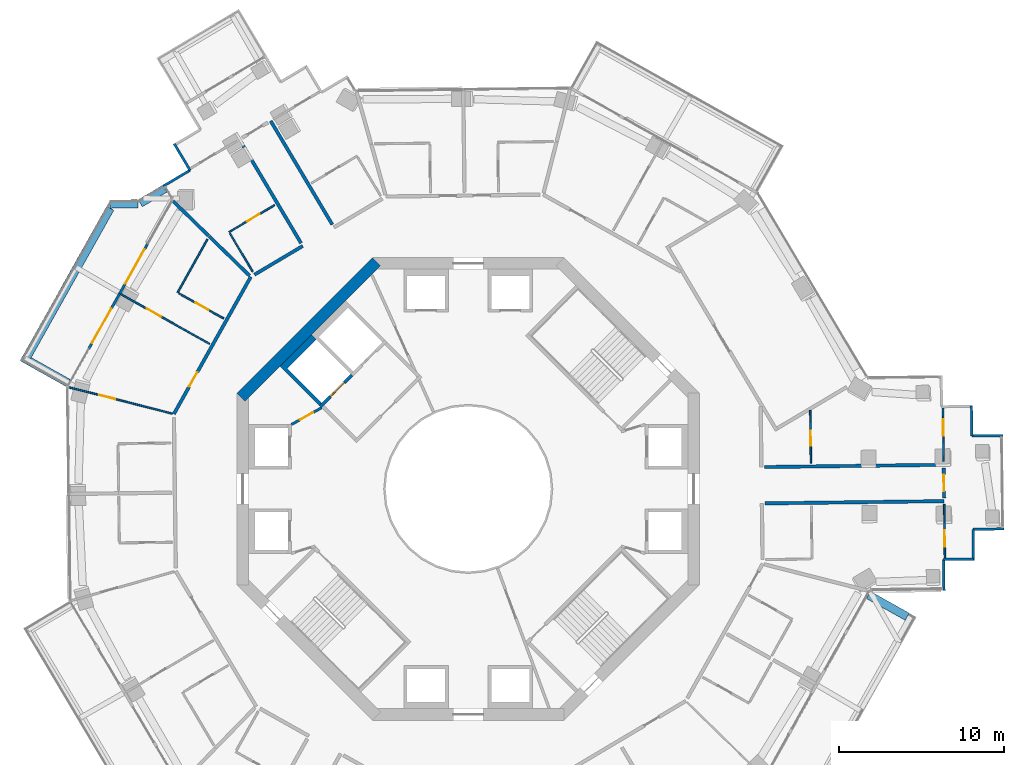
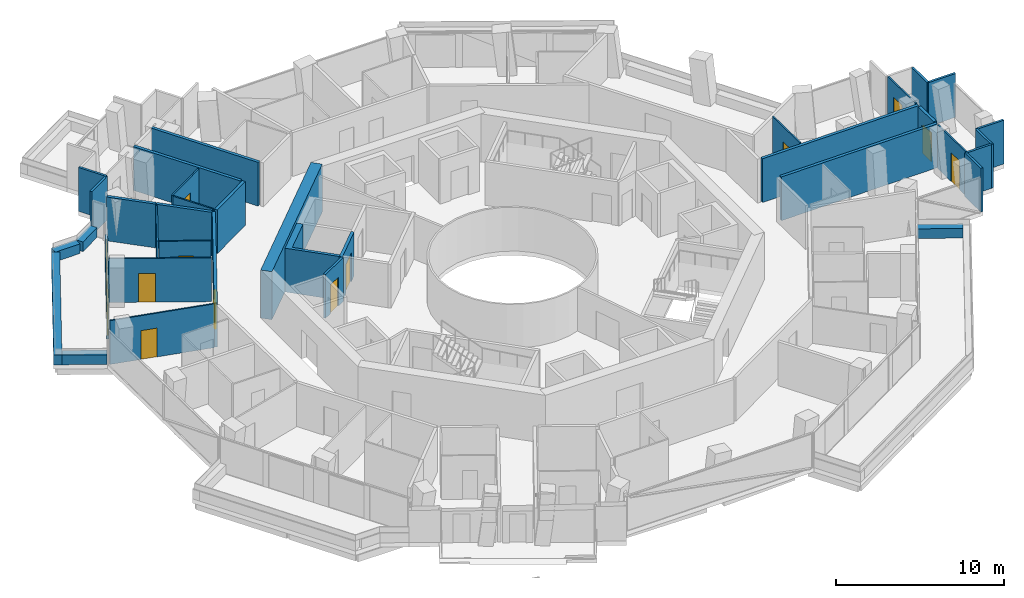
# One storey, part 16 of 21: 37 walls, 13 doors, 13 openings.
"""IFC4 building model written with IfcOpenShell, lengths in metres."""

from ifc_helpers import new_model, si_unit, direction, frame, frame_2d, origin, place, context, subcontext, project, spatial, polyline, rectangle, outline, extrude, material, layer, layer_set, type_object, element, fill, save


model = new_model("IFC4")

# Units and contexts
model_context = context("Model", 3, precision=1e-05, world=origin(), true_north=direction((0.0, 1.0)))
body_context = subcontext(model_context, "Body", "Model", "MODEL_VIEW")
ifc_project = project(units=[si_unit("LENGTHUNIT", "METRE"), si_unit("AREAUNIT", "SQUARE_METRE"), si_unit("VOLUMEUNIT", "CUBIC_METRE"), si_unit("PLANEANGLEUNIT", "RADIAN"), si_unit("MASSUNIT", "GRAM", prefix="KILO")], contexts=[model_context])

# Site, building, storey
site_placement = place(None, origin())
site = spatial("IfcSite", under=ifc_project, at=site_placement, CompositionType="ELEMENT")
building_placement = place(site_placement, origin())
building = spatial("IfcBuilding", under=site, at=building_placement, Name="Verdalira Terraces Hotel", CompositionType="ELEMENT")
storey_placement = place(building_placement, frame((0.0, 0.0, 158.5)))
storey = spatial("IfcBuildingStorey", under=building, at=storey_placement, Name="L38", CompositionType="ELEMENT", Elevation=158.5)

# Walls
ifc_material_1 = material(Name="Concrete C40", Category="concrete")
ifc_layer_1 = layer(ifc_material_1, 0.5)
ifc_layer_set_1 = layer_set([ifc_layer_1], Name="Balcony planter trough with tree")
wall_type_1 = type_object("IfcWallType", Name="Balcony planter trough with tree", PredefinedType="SOLIDWALL", material=ifc_layer_set_1)
wall_1_placement = place(storey_placement, frame((-18.364014, 18.177979, 0.0), z_axis=(0.0, 0.0, 1.0), x_axis=(-0.859699931, -0.510799401, 0.0)))
element("IfcWall", 1, at=wall_1_placement, inside=storey, type_object=wall_type_1, Name="Balcony planter", PredefinedType="SOLIDWALL", context=body_context, shape_type="SweptSolid", body=[
    extrude(rectangle(XDim=1.731201, YDim=0.5, at=frame_2d((0.865723, 0.0))), origin(), (0.0, 0.0, 1.0), 0.699951),
])
wall_2_placement = place(storey_placement, frame((-19.976807, 17.258545, 0.0), z_axis=(0.0, 0.0, 1.0), x_axis=(-0.999921479, -0.012531427, 0.0)))
element("IfcWall", 2, at=wall_2_placement, inside=storey, type_object=wall_type_1, Name="Balcony planter", PredefinedType="SOLIDWALL", context=body_context, shape_type="SweptSolid", body=[
    extrude(rectangle(XDim=1.695068, YDim=0.5, at=frame_2d((0.847656, 0.0))), origin(), (0.0, 0.0, 1.0), 0.699951),
])
wall_3_placement = place(storey_placement, frame((-21.668457, 16.987305, 0.0), z_axis=(0.0, 0.0, 1.0), x_axis=(-0.489083219, -0.872237126, 0.0)))
element("IfcWall", 3, at=wall_3_placement, inside=storey, type_object=wall_type_1, Name="Balcony planter", PredefinedType="SOLIDWALL", context=body_context, shape_type="SweptSolid", body=[
    extrude(rectangle(XDim=10.719482, YDim=0.5, at=frame_2d((5.359863, 0.0))), origin(), (0.0, 0.0, 1.0), 0.699951),
])
for number, where, z_axis, x_axis, name in (
    (4, (-26.570801, 7.733154, 0.0), (0.0, 0.0, 1.0), (0.872217405, -0.489118389, 0.0), "Balcony planter"),
    (5, (26.570801, -7.733154, 0.0), (0.0, 0.0, 1.0), (-0.872217405, 0.489118389, 0.0), "Balcony planter"),
):
    element("IfcWall", number, at=place(storey_placement, frame(where, z_axis=z_axis, x_axis=x_axis)), inside=storey, type_object=wall_type_1, Name=name, PredefinedType="SOLIDWALL", context=body_context, shape_type="SweptSolid", body=[
        extrude(rectangle(XDim=2.698975, YDim=0.5, at=frame_2d((1.349609, 0.0))), origin(), (0.0, 0.0, 1.0), 0.699951),
    ])

# Wall, opening, door
ifc_material_2 = material(Name="Moisture-resistant gypsum board partition")
ifc_layer_2 = layer(ifc_material_2, 0.10009765625)
ifc_layer_set_2 = layer_set([ifc_layer_2], Name="Bathroom partition 100 mm")
wall_type_2 = type_object("IfcWallType", Name="Bathroom partition 100 mm", PredefinedType="PARTITIONING", material=ifc_layer_set_2)
wall_4_placement = place(storey_placement, frame((-17.916992, 4.560303, 0.0), z_axis=(0.0, 0.0, 1.0), x_axis=(-0.969097993, 0.246676062, 0.0)))
wall_4 = element("IfcWall", 6, at=wall_4_placement, inside=storey, type_object=wall_type_2, Name="Bathroom partition", PredefinedType="PARTITIONING", context=body_context, shape_type="SweptSolid", body=[
    extrude(rectangle(XDim=6.47583, YDim=0.100098, at=frame_2d((3.237793, 0.0))), origin(), (0.0, 0.0, 1.0), 3.189941),
])
opening_1_placement = place(wall_4_placement, frame((3.550049, 0.0, 0.0)))
opening_1 = element("IfcOpeningElement", 7, at=opening_1_placement, cuts=wall_4, Name="Opening L38-108", PredefinedType="OPENING", context=body_context, shape_type="SweptSolid", body=[
    extrude(rectangle(XDim=1.0, YDim=2.100098, at=frame_2d((0.5, 1.050049))), frame((0.0, 0.060059, 0.0), z_axis=(0.0, -1.0, 0.0), x_axis=(1.0, 0.0, 0.0)), (0.0, 0.0, 1.0), 0.120117),
])
ifc_material_3 = material(Name="Timber door", Category="wood")
door_type_1 = type_object("IfcDoorType", Name="Suite internal door 1000 x 2100", OperationType="NOTDEFINED", PredefinedType="DOOR", material=ifc_material_3)
door_1_placement = place(opening_1_placement, origin())
door_1 = element("IfcDoor", 8, at=door_1_placement, inside=storey, type_object=door_type_1, Name="Suite internal door 3802", OperationType="SINGLE_SWING_LEFT", OverallHeight=2.10009765625, OverallWidth=1.0, PredefinedType="DOOR", context=body_context, shape_type="SweptSolid", body=[
    extrude(rectangle(XDim=1.0, YDim=2.100098, at=frame_2d((0.5, 1.050049))), frame((0.0, 0.024902, 0.0), z_axis=(0.0, -1.0, 0.0), x_axis=(1.0, 0.0, 0.0)), (0.0, 0.0, 1.0), 0.050049),
])
fill(opening_1, door_1)

wall_5_placement = place(storey_placement, frame((-21.02832, 11.791016, 0.0), z_axis=(0.0, 0.0, 1.0), x_axis=(0.872223591, -0.489107358, 0.0)))
wall_5 = element("IfcWall", 9, at=wall_5_placement, inside=storey, type_object=wall_type_2, Name="Bathroom partition", PredefinedType="PARTITIONING", context=body_context, shape_type="SweptSolid", body=[
    extrude(rectangle(XDim=6.150146, YDim=0.100098, at=frame_2d((3.075195, 0.0))), origin(), (0.0, 0.0, 1.0), 3.189941),
])
opening_2_placement = place(wall_5_placement, frame((1.800049, 0.0, 0.0)))
opening_2 = element("IfcOpeningElement", 10, at=opening_2_placement, cuts=wall_5, Name="Opening L38-107", PredefinedType="OPENING", context=body_context, shape_type="SweptSolid", body=[
    extrude(rectangle(XDim=1.0, YDim=2.100098, at=frame_2d((0.5, 1.050049))), frame((0.0, 0.060059, 0.0), z_axis=(0.0, -1.0, 0.0), x_axis=(1.0, 0.0, 0.0)), (0.0, 0.0, 1.0), 0.120117),
])
door_2_placement = place(opening_2_placement, origin())
door_2 = element("IfcDoor", 11, at=door_2_placement, inside=storey, type_object=door_type_1, Name="Suite internal door 3802", OperationType="SINGLE_SWING_LEFT", OverallHeight=2.10009765625, OverallWidth=1.0, PredefinedType="DOOR", context=body_context, shape_type="SweptSolid", body=[
    extrude(rectangle(XDim=1.0, YDim=2.100098, at=frame_2d((0.5, 1.050049))), frame((0.0, 0.024902, 0.0), z_axis=(0.0, -1.0, 0.0), x_axis=(1.0, 0.0, 0.0)), (0.0, 0.0, 1.0), 0.050049),
])
fill(opening_2, door_2)

# Wall
wall_6_placement = place(storey_placement, frame((-15.783691, 15.112549, 0.0), z_axis=(0.0, 0.0, 1.0), x_axis=(-0.489080991, -0.872238376, 0.0)))
element("IfcWall", 12, at=wall_6_placement, inside=storey, type_object=wall_type_2, Name="Bathroom partition", PredefinedType="PARTITIONING", context=body_context, shape_type="SweptSolid", body=[
    extrude(rectangle(XDim=3.703857, YDim=0.100098, at=frame_2d((1.852051, 0.0))), origin(), (0.0, 0.0, 1.0), 3.189941),
])

# Wall, opening, door
wall_7_placement = place(storey_placement, frame((-17.508057, 11.833008, 0.0), z_axis=(0.0, 0.0, 1.0), x_axis=(0.872222527, -0.489109255, 0.0)))
wall_7 = element("IfcWall", 13, at=wall_7_placement, inside=storey, type_object=wall_type_2, Name="Bathroom partition", PredefinedType="PARTITIONING", context=body_context, shape_type="SweptSolid", body=[
    extrude(rectangle(XDim=3.100342, YDim=0.100098, at=frame_2d((1.550293, 0.0))), origin(), (0.0, 0.0, 1.0), 3.189941),
])
opening_3_placement = place(wall_7_placement, frame((1.149902, 0.0, 0.0)))
opening_3 = element("IfcOpeningElement", 14, at=opening_3_placement, cuts=wall_7, Name="Opening L38-109", PredefinedType="OPENING", context=body_context, shape_type="SweptSolid", body=[
    extrude(rectangle(XDim=0.899902, YDim=2.100098, at=frame_2d((0.449951, 1.050049))), frame((0.0, 0.060059, 0.0), z_axis=(0.0, -1.0, 0.0), x_axis=(1.0, 0.0, 0.0)), (0.0, 0.0, 1.0), 0.120117),
])
ifc_material_4 = material(Name="Timber door", Category="wood")
door_type_2 = type_object("IfcDoorType", Name="Bathroom door 900 x 2100", OperationType="NOTDEFINED", PredefinedType="DOOR", material=ifc_material_4)
door_3_placement = place(opening_3_placement, origin())
door_3 = element("IfcDoor", 15, at=door_3_placement, inside=storey, type_object=door_type_2, Name="Bathroom door 3802", OperationType="SINGLE_SWING_LEFT", OverallHeight=2.10009765625, OverallWidth=0.89990234375, PredefinedType="DOOR", context=body_context, shape_type="SweptSolid", body=[
    extrude(rectangle(XDim=0.899902, YDim=2.100098, at=frame_2d((0.449951, 1.050049))), frame((0.0, 0.024902, 0.0), z_axis=(0.0, -1.0, 0.0), x_axis=(1.0, 0.0, 0.0)), (0.0, 0.0, 1.0), 0.050049),
])
fill(opening_3, door_3)

# Wall
wall_8_placement = place(storey_placement, frame((-14.421631, 15.460693, 0.0), z_axis=(0.0, 0.0, 1.0), x_axis=(0.510781072, -0.859710822, 0.0)))
element("IfcWall", 16, at=wall_8_placement, inside=storey, type_object=wall_type_2, Name="Bathroom partition", PredefinedType="PARTITIONING", context=body_context, shape_type="SweptSolid", body=[
    extrude(rectangle(XDim=2.700195, YDim=0.100098, at=frame_2d((1.350098, 0.0))), origin(), (0.0, 0.0, 1.0), 3.189941),
])

# Wall, opening, door
wall_9_placement = place(storey_placement, frame((-11.72168, 17.181396, 0.0), z_axis=(0.0, 0.0, 1.0), x_axis=(-0.859686203, -0.510822506, 0.0)))
wall_9 = element("IfcWall", 17, at=wall_9_placement, inside=storey, type_object=wall_type_2, Name="Bathroom partition", PredefinedType="PARTITIONING", context=body_context, shape_type="SweptSolid", body=[
    extrude(rectangle(XDim=3.200195, YDim=0.100098, at=frame_2d((1.600098, 0.0))), origin(), (0.0, 0.0, 1.0), 3.189941),
])
opening_4_placement = place(wall_9_placement, frame((1.050049, 0.0, 0.0)))
opening_4 = element("IfcOpeningElement", 18, at=opening_4_placement, cuts=wall_9, Name="Opening L38-105", PredefinedType="OPENING", context=body_context, shape_type="SweptSolid", body=[
    extrude(rectangle(XDim=0.899902, YDim=2.100098, at=frame_2d((0.449951, 1.050049))), frame((0.0, 0.060059, 0.0), z_axis=(0.0, -1.0, 0.0), x_axis=(1.0, 0.0, 0.0)), (0.0, 0.0, 1.0), 0.120117),
])
door_4_placement = place(opening_4_placement, origin())
door_4 = element("IfcDoor", 19, at=door_4_placement, inside=storey, type_object=door_type_2, Name="Bathroom door 3801", OperationType="SINGLE_SWING_RIGHT", OverallHeight=2.10009765625, OverallWidth=0.89990234375, PredefinedType="DOOR", context=body_context, shape_type="SweptSolid", body=[
    extrude(rectangle(XDim=0.899902, YDim=2.100098, at=frame_2d((0.449951, 1.050049))), frame((0.0, 0.024902, 0.0), z_axis=(0.0, -1.0, 0.0), x_axis=(1.0, 0.0, 0.0)), (0.0, 0.0, 1.0), 0.050049),
])
fill(opening_4, door_4)

wall_10_placement = place(storey_placement, frame((20.740479, 1.560791, 0.0), z_axis=(0.0, 0.0, 1.0), x_axis=(-0.012591538, 0.999920723, 0.0)))
wall_10 = element("IfcWall", 20, at=wall_10_placement, inside=storey, type_object=wall_type_2, Name="Bathroom partition", PredefinedType="PARTITIONING", context=body_context, shape_type="SweptSolid", body=[
    extrude(rectangle(XDim=3.199219, YDim=0.100098, at=frame_2d((1.599609, 0.0))), origin(), (0.0, 0.0, 1.0), 3.189941),
])
opening_5_placement = place(wall_10_placement, frame((1.050049, 0.0, 0.0)))
opening_5 = element("IfcOpeningElement", 21, at=opening_5_placement, cuts=wall_10, Name="Opening L38-132", PredefinedType="OPENING", context=body_context, shape_type="SweptSolid", body=[
    extrude(rectangle(XDim=0.899902, YDim=2.100098, at=frame_2d((0.449951, 1.050049))), frame((0.0, 0.060059, 0.0), z_axis=(0.0, -1.0, 0.0), x_axis=(1.0, 0.0, 0.0)), (0.0, 0.0, 1.0), 0.120117),
])
door_5_placement = place(opening_5_placement, origin())
door_5 = element("IfcDoor", 22, at=door_5_placement, inside=storey, type_object=door_type_2, Name="Bathroom door 3809", OperationType="SINGLE_SWING_RIGHT", OverallHeight=2.10009765625, OverallWidth=0.89990234375, PredefinedType="DOOR", context=body_context, shape_type="SweptSolid", body=[
    extrude(rectangle(XDim=0.899902, YDim=2.100098, at=frame_2d((0.449951, 1.050049))), frame((0.0, 0.024902, 0.0), z_axis=(0.0, -1.0, 0.0), x_axis=(1.0, 0.0, 0.0)), (0.0, 0.0, 1.0), 0.050049),
])
fill(opening_5, door_5)

wall_11_placement = place(storey_placement, frame((28.773438, 1.661621, 0.0), z_axis=(0.0, 0.0, 1.0), x_axis=(-0.012620135, 0.999920363, 0.0)))
wall_11 = element("IfcWall", 23, at=wall_11_placement, inside=storey, type_object=wall_type_2, Name="Bathroom partition", PredefinedType="PARTITIONING", context=body_context, shape_type="SweptSolid", body=[
    extrude(rectangle(XDim=3.25, YDim=0.100098, at=frame_2d((1.625, 0.0))), origin(), (0.0, 0.0, 1.0), 3.189941),
])
opening_6_placement = place(wall_11_placement, frame((1.550049, 0.0, 0.0)))
opening_6 = element("IfcOpeningElement", 24, at=opening_6_placement, cuts=wall_11, Name="Opening L38-130", PredefinedType="OPENING", context=body_context, shape_type="SweptSolid", body=[
    extrude(rectangle(XDim=1.0, YDim=2.100098, at=frame_2d((0.5, 1.050049))), frame((0.0, 0.060059, 0.0), z_axis=(0.0, -1.0, 0.0), x_axis=(1.0, 0.0, 0.0)), (0.0, 0.0, 1.0), 0.120117),
])
door_6_placement = place(opening_6_placement, origin())
door_6 = element("IfcDoor", 25, at=door_6_placement, inside=storey, type_object=door_type_1, Name="Suite internal door 3809", OperationType="SINGLE_SWING_LEFT", OverallHeight=2.10009765625, OverallWidth=1.0, PredefinedType="DOOR", context=body_context, shape_type="SweptSolid", body=[
    extrude(rectangle(XDim=1.0, YDim=2.100098, at=frame_2d((0.5, 1.050049))), frame((0.0, 0.024902, 0.0), z_axis=(0.0, -1.0, 0.0), x_axis=(1.0, 0.0, 0.0)), (0.0, 0.0, 1.0), 0.050049),
])
fill(opening_6, door_6)

wall_12_placement = place(storey_placement, frame((28.846924, -4.189697, 0.0), z_axis=(0.0, 0.0, 1.0), x_axis=(-0.012537493, 0.999921403, 0.0)))
wall_12 = element("IfcWall", 26, at=wall_12_placement, inside=storey, type_object=wall_type_2, Name="Bathroom partition", PredefinedType="PARTITIONING", context=body_context, shape_type="SweptSolid", body=[
    extrude(rectangle(XDim=3.251953, YDim=0.100098, at=frame_2d((1.625977, 0.0))), origin(), (0.0, 0.0, 1.0), 3.189941),
])
opening_7_placement = place(wall_12_placement, frame((0.699951, 0.0, 0.0)))
opening_7 = element("IfcOpeningElement", 27, at=opening_7_placement, cuts=wall_12, Name="Opening L38-129", PredefinedType="OPENING", context=body_context, shape_type="SweptSolid", body=[
    extrude(rectangle(XDim=1.0, YDim=2.100098, at=frame_2d((0.5, 1.050049))), frame((0.0, 0.060059, 0.0), z_axis=(0.0, -1.0, 0.0), x_axis=(1.0, 0.0, 0.0)), (0.0, 0.0, 1.0), 0.120117),
])
door_7_placement = place(opening_7_placement, origin())
door_7 = element("IfcDoor", 28, at=door_7_placement, inside=storey, type_object=door_type_1, Name="Suite internal door 3809", OperationType="SINGLE_SWING_LEFT", OverallHeight=2.10009765625, OverallWidth=1.0, PredefinedType="DOOR", context=body_context, shape_type="SweptSolid", body=[
    extrude(rectangle(XDim=1.0, YDim=2.100098, at=frame_2d((0.5, 1.050049))), frame((0.0, 0.024902, 0.0), z_axis=(0.0, -1.0, 0.0), x_axis=(1.0, 0.0, 0.0)), (0.0, 0.0, 1.0), 0.050049),
])
fill(opening_7, door_7)

# Wall
ifc_material_5 = material(Name="Concrete C50", Category="concrete")
ifc_layer_3 = layer(ifc_material_5, 0.199951171875)
ifc_layer_set_3 = layer_set([ifc_layer_3], Name="Core RC wall 200 C50")
wall_type_3 = type_object("IfcWallType", Name="Core RC wall 200 C50", PredefinedType="SOLIDWALL", material=ifc_layer_set_3)
wall_13_placement = place(storey_placement, origin())
element("IfcWall", 29, at=wall_13_placement, inside=storey, type_object=wall_type_3, Name="L38 shaft wall F2", PredefinedType="SOLIDWALL", context=body_context, shape_type="SweptSolid", body=[
    extrude(outline(polyline([(-11.384521, 7.424561), (-9.475098, 9.33374), (-9.192383, 9.051025), (-10.960205, 7.283203), (-8.874268, 5.197266), (-9.015625, 5.055908), (-11.384521, 7.424561)])), origin(), (0.0, 0.0, 1.0), 3.189941),
])

# Wall, opening, door
wall_14_placement = place(storey_placement, frame((-7.035645, 6.894287, 0.0), z_axis=(0.0, 0.0, 1.0), x_axis=(-0.707106781, -0.707106781, 0.0)))
wall_14 = element("IfcWall", 30, at=wall_14_placement, inside=storey, type_object=wall_type_3, Name="L38 shaft front wall F2", PredefinedType="SOLIDWALL", context=body_context, shape_type="SweptSolid", body=[
    extrude(rectangle(XDim=2.699951, YDim=0.199951, at=frame_2d((1.350098, 0.0))), origin(), (0.0, 0.0, 1.0), 3.189941),
])
opening_8_placement = place(wall_14_placement, frame((0.649902, 0.0, 0.0)))
opening_8 = element("IfcOpeningElement", 31, at=opening_8_placement, cuts=wall_14, Name="Opening LD-L38-808", PredefinedType="OPENING", context=body_context, shape_type="SweptSolid", body=[
    extrude(rectangle(XDim=1.199951, YDim=2.100098, at=frame_2d((0.600098, 1.050049))), frame((0.0, 0.109863, 0.0), z_axis=(0.0, -1.0, 0.0), x_axis=(1.0, 0.0, 0.0)), (0.0, 0.0, 1.0), 0.219971),
])
ifc_material_6 = material(Name="Stainless steel", Category="steel")
door_type_3 = type_object("IfcDoorType", Name="Landing door 1200 x 2100", OperationType="NOTDEFINED", PredefinedType="DOOR", material=ifc_material_6)
door_8_placement = place(opening_8_placement, origin())
door_8 = element("IfcDoor", 32, at=door_8_placement, inside=storey, type_object=door_type_3, Name="Lift landing door LF12 L38", OperationType="DOUBLE_DOOR_SLIDING", OverallHeight=2.10009765625, OverallWidth=1.199951171875, PredefinedType="DOOR", context=body_context, shape_type="SweptSolid", body=[
    extrude(rectangle(XDim=1.199951, YDim=2.100098, at=frame_2d((0.600098, 1.050049))), frame((0.0, 0.024902, 0.0), z_axis=(0.0, -1.0, 0.0), x_axis=(1.0, 0.0, 0.0)), (0.0, 0.0, 1.0), 0.050049),
])
fill(opening_8, door_8)

ifc_material_7 = material(Name="Gypsum board partition")
ifc_layer_4 = layer(ifc_material_7, 0.14990234375)
ifc_layer_set_4 = layer_set([ifc_layer_4], Name="Core partition 150 mm")
wall_type_4 = type_object("IfcWallType", Name="Core partition 150 mm", PredefinedType="PARTITIONING", material=ifc_layer_set_4)
wall_15_placement = place(storey_placement, frame((-8.874268, 4.914307, 0.0), z_axis=(0.0, 0.0, 1.0), x_axis=(-0.874129705, -0.485692555, 0.0)))
wall_15 = element("IfcWall", 33, at=wall_15_placement, inside=storey, type_object=wall_type_4, Name="Room partition L38", PredefinedType="PARTITIONING", context=body_context, shape_type="SweptSolid", body=[
    extrude(rectangle(XDim=2.088623, YDim=0.149902, at=frame_2d((1.044434, 0.0))), origin(), (0.0, 0.0, 1.0), 3.189941),
])
opening_9_placement = place(wall_15_placement, frame((0.594238, 0.0, 0.0)))
opening_9 = element("IfcOpeningElement", 34, at=opening_9_placement, cuts=wall_15, Name="Opening L38-821", PredefinedType="OPENING", context=body_context, shape_type="SweptSolid", body=[
    extrude(rectangle(XDim=0.899902, YDim=2.100098, at=frame_2d((0.449951, 1.050049))), frame((0.0, 0.084961, 0.0), z_axis=(0.0, -1.0, 0.0), x_axis=(1.0, 0.0, 0.0)), (0.0, 0.0, 1.0), 0.169922),
])
ifc_material_8 = material(Name="Steel fire door", Category="steel")
door_type_4 = type_object("IfcDoorType", Name="Core room door 900 x 2100", OperationType="NOTDEFINED", PredefinedType="DOOR", material=ifc_material_8)
door_9_placement = place(opening_9_placement, origin())
door_9 = element("IfcDoor", 35, at=door_9_placement, inside=storey, type_object=door_type_4, Name="Door L38 room3", OperationType="SINGLE_SWING_LEFT", OverallHeight=2.10009765625, OverallWidth=0.89990234375, PredefinedType="DOOR", context=body_context, shape_type="SweptSolid", body=[
    extrude(rectangle(XDim=0.899902, YDim=2.100098, at=frame_2d((0.449951, 1.050049))), frame((0.0, 0.024902, 0.0), z_axis=(0.0, -1.0, 0.0), x_axis=(1.0, 0.0, 0.0)), (0.0, 0.0, 1.0), 0.050049),
])
fill(opening_9, door_9)

# Walls
ifc_material_9 = material(Name="Concrete C60", Category="concrete")
ifc_layer_5 = layer(ifc_material_9, 0.699951171875)
ifc_layer_set_5 = layer_set([ifc_layer_5], Name="Core wall 700 C60")
wall_type_5 = type_object("IfcWallType", Name="Core wall 700 C60", PredefinedType="SHEAR", material=ifc_layer_set_5)
wall_16_placement = place(storey_placement, frame((-5.551514, 13.752441, 0.0), z_axis=(0.0, 0.0, 1.0), x_axis=(-0.707106781, -0.707106781, 0.0)))
element("IfcWall", 36, at=wall_16_placement, inside=storey, type_object=wall_type_5, Name="Core wall CW-L38-4", PredefinedType="SHEAR", context=body_context, shape_type="SweptSolid", body=[
    extrude(rectangle(XDim=11.5979, YDim=0.699951, at=frame_2d((5.798828, 0.0))), origin(), (0.0, 0.0, 1.0), 3.5),
])
ifc_material_10 = material(Name="Fire-rated gypsum board wall")
ifc_layer_6 = layer(ifc_material_10, 0.199951171875)
ifc_layer_set_6 = layer_set([ifc_layer_6], Name="Demising wall 200 mm")
wall_type_6 = type_object("IfcWallType", Name="Demising wall 200 mm", PredefinedType="SOLIDWALL", material=ifc_layer_set_6)
wall_17_placement = place(storey_placement, frame((-15.716797, 15.32666, 0.0), z_axis=(0.0, 0.0, 1.0), x_axis=(-0.715928209, 0.698173903, 0.0)))
element("IfcWall", 37, at=wall_17_placement, inside=storey, type_object=wall_type_6, Name="Demising wall", PredefinedType="SOLIDWALL", context=body_context, shape_type="SweptSolid", body=[
    extrude(rectangle(XDim=3.011475, YDim=0.199951, at=frame_2d((1.505859, 0.0))), origin(), (0.0, 0.0, 1.0), 3.189941),
])
wall_18_placement = place(storey_placement, frame((-13.236572, 12.907959, 0.0), z_axis=(0.0, 0.0, 1.0), x_axis=(-0.715943017, 0.698158718, 0.0)))
element("IfcWall", 38, at=wall_18_placement, inside=storey, type_object=wall_type_6, Name="Demising wall", PredefinedType="SOLIDWALL", context=body_context, shape_type="SweptSolid", body=[
    extrude(rectangle(XDim=3.418213, YDim=0.199951, at=frame_2d((1.708984, 0.0))), origin(), (0.0, 0.0, 1.0), 3.189941),
])

# Wall, opening, door
ifc_material_11 = material(Name="Fire-rated gypsum board wall")
ifc_layer_7 = layer(ifc_material_11, 0.199951171875)
ifc_layer_set_7 = layer_set([ifc_layer_7], Name="Guest corridor wall 200 mm")
wall_type_7 = type_object("IfcWallType", Name="Guest corridor wall 200 mm", PredefinedType="SOLIDWALL", material=ifc_layer_set_7)
wall_19_placement = place(storey_placement, frame((-17.81665, 4.534912, 0.0), z_axis=(0.0, 0.0, 1.0), x_axis=(0.489072011, 0.872243411, 0.0)))
wall_19 = element("IfcWall", 39, at=wall_19_placement, inside=storey, type_object=wall_type_7, Name="Guest corridor wall", PredefinedType="SOLIDWALL", context=body_context, shape_type="SweptSolid", body=[
    extrude(rectangle(XDim=9.516602, YDim=0.199951, at=frame_2d((4.758301, 0.0))), origin(), (0.0, 0.0, 1.0), 3.189941),
])
opening_10_placement = place(wall_19_placement, frame((1.899902, 0.0, 0.0)))
opening_10 = element("IfcOpeningElement", 40, at=opening_10_placement, cuts=wall_19, Name="Opening L38-106", PredefinedType="OPENING", context=body_context, shape_type="SweptSolid", body=[
    extrude(rectangle(XDim=1.0, YDim=2.100098, at=frame_2d((0.5, 1.050049))), frame((0.0, 0.109863, 0.0), z_axis=(0.0, -1.0, 0.0), x_axis=(1.0, 0.0, 0.0)), (0.0, 0.0, 1.0), 0.219971),
])
ifc_material_12 = material(Name="Timber fire door", Category="wood")
door_type_5 = type_object("IfcDoorType", Name="Guest entry door 1000 x 2100", OperationType="NOTDEFINED", PredefinedType="DOOR", material=ifc_material_12)
door_10_placement = place(opening_10_placement, origin())
door_10 = element("IfcDoor", 41, at=door_10_placement, inside=storey, type_object=door_type_5, Name="Guest entry door 3802", OperationType="SINGLE_SWING_LEFT", OverallHeight=2.10009765625, OverallWidth=1.0, PredefinedType="DOOR", context=body_context, shape_type="SweptSolid", body=[
    extrude(rectangle(XDim=1.0, YDim=2.100098, at=frame_2d((0.5, 1.050049))), frame((0.0, 0.024902, 0.0), z_axis=(0.0, -1.0, 0.0), x_axis=(1.0, 0.0, 0.0)), (0.0, 0.0, 1.0), 0.050049),
])
fill(opening_10, door_10)

# Walls
wall_20_placement = place(storey_placement, frame((-13.848633, 21.1521, 0.0), z_axis=(0.0, 0.0, 1.0), x_axis=(0.510851666, -0.859668875, 0.0)))
element("IfcWall", 42, at=wall_20_placement, inside=storey, type_object=wall_type_7, Name="Guest corridor wall", PredefinedType="SOLIDWALL", context=body_context, shape_type="SweptSolid", body=[
    extrude(rectangle(XDim=7.300049, YDim=0.199951, at=frame_2d((3.649902, 0.0))), origin(), (0.0, 0.0, 1.0), 3.189941),
])
wall_21_placement = place(storey_placement, frame((-10.017334, 14.704346, 0.0), z_axis=(0.0, 0.0, 1.0), x_axis=(-0.859677377, -0.510837359, 0.0)))
element("IfcWall", 43, at=wall_21_placement, inside=storey, type_object=wall_type_7, Name="Guest corridor wall", PredefinedType="SOLIDWALL", context=body_context, shape_type="SweptSolid", body=[
    extrude(rectangle(XDim=3.399902, YDim=0.199951, at=frame_2d((1.699951, 0.0))), origin(), (0.0, 0.0, 1.0), 3.189941),
])
wall_22_placement = place(storey_placement, frame((-8.228271, 16.000244, 0.0), z_axis=(0.0, 0.0, 1.0), x_axis=(-0.510851666, 0.859668875, 0.0)))
element("IfcWall", 44, at=wall_22_placement, inside=storey, type_object=wall_type_7, Name="Guest corridor wall", PredefinedType="SOLIDWALL", context=body_context, shape_type="SweptSolid", body=[
    extrude(rectangle(XDim=7.300049, YDim=0.199951, at=frame_2d((3.649902, 0.0))), origin(), (0.0, 0.0, 1.0), 3.189941),
])
wall_23_placement = place(storey_placement, frame((28.775879, 1.46167, 0.0), z_axis=(0.0, 0.0, 1.0), x_axis=(-0.999921217, -0.012552255, 0.0)))
element("IfcWall", 45, at=wall_23_placement, inside=storey, type_object=wall_type_7, Name="Guest corridor wall", PredefinedType="SOLIDWALL", context=body_context, shape_type="SweptSolid", body=[
    extrude(rectangle(XDim=10.833496, YDim=0.199951, at=frame_2d((5.416748, 0.0))), origin(), (0.0, 0.0, 1.0), 3.189941),
])
wall_24_placement = place(storey_placement, frame((17.970703, -0.874268, 0.0), z_axis=(0.0, 0.0, 1.0), x_axis=(0.999920934, 0.012574787, 0.0)))
element("IfcWall", 46, at=wall_24_placement, inside=storey, type_object=wall_type_7, Name="Guest corridor wall", PredefinedType="SOLIDWALL", context=body_context, shape_type="SweptSolid", body=[
    extrude(rectangle(XDim=10.83374, YDim=0.199951, at=frame_2d((5.416992, 0.0))), origin(), (0.0, 0.0, 1.0), 3.189941),
])

# Wall, opening, door
wall_25_placement = place(storey_placement, frame((28.77832, 1.263672, 0.0), z_axis=(0.0, 0.0, 1.0), x_axis=(0.012586983, -0.999920781, 0.0)))
wall_25 = element("IfcWall", 47, at=wall_25_placement, inside=storey, type_object=wall_type_7, Name="Guest corridor wall", PredefinedType="SOLIDWALL", context=body_context, shape_type="SweptSolid", body=[
    extrude(rectangle(XDim=1.803955, YDim=0.199951, at=frame_2d((0.901855, 0.0))), origin(), (0.0, 0.0, 1.0), 3.189941),
])
opening_11_placement = place(wall_25_placement, frame((0.399902, 0.0, 0.0)))
opening_11 = element("IfcOpeningElement", 48, at=opening_11_placement, cuts=wall_25, Name="Opening L38-128", PredefinedType="OPENING", context=body_context, shape_type="SweptSolid", body=[
    extrude(rectangle(XDim=1.0, YDim=2.100098, at=frame_2d((0.5, 1.050049))), frame((0.0, 0.109863, 0.0), z_axis=(0.0, -1.0, 0.0), x_axis=(1.0, 0.0, 0.0)), (0.0, 0.0, 1.0), 0.219971),
])
door_11_placement = place(opening_11_placement, origin())
door_11 = element("IfcDoor", 49, at=door_11_placement, inside=storey, type_object=door_type_5, Name="Guest entry door 3809", OperationType="SINGLE_SWING_LEFT", OverallHeight=2.10009765625, OverallWidth=1.0, PredefinedType="DOOR", context=body_context, shape_type="SweptSolid", body=[
    extrude(rectangle(XDim=1.0, YDim=2.100098, at=frame_2d((0.5, 1.050049))), frame((0.0, 0.024902, 0.0), z_axis=(0.0, -1.0, 0.0), x_axis=(1.0, 0.0, 0.0)), (0.0, 0.0, 1.0), 0.050049),
])
fill(opening_11, door_11)

# Walls
ifc_material_13 = material(Name="Terracotta cladding", Category="masonry")
ifc_layer_8 = layer(ifc_material_13, 0.14990234375)
ifc_layer_set_8 = layer_set([ifc_layer_8], Name="Terracotta clad wall 150")
wall_type_8 = type_object("IfcWallType", Name="Terracotta clad wall 150", PredefinedType="SOLIDWALL", material=ifc_layer_set_8)
for number, where, z_axis, x_axis, name in (
    (50, (-17.798584, 20.898682, 0.0), (0.0, 0.0, 1.0), (0.510833565, -0.859679632, 0.0), "Terracotta cladding wall"),
    (51, (-16.84082, 19.286865, 0.0), (0.0, 0.0, 1.0), (-0.859622446, -0.510929791, 0.0), "Terracotta cladding wall"),
):
    element("IfcWall", number, at=place(storey_placement, frame(where, z_axis=z_axis, x_axis=x_axis)), inside=storey, type_object=wall_type_8, Name=name, PredefinedType="SOLIDWALL", context=body_context, shape_type="SweptSolid", body=[
        extrude(rectangle(XDim=1.875, YDim=0.149902, at=frame_2d((0.9375, 0.0))), origin(), (0.0, 0.0, 1.0), 3.189941),
    ])
wall_26_placement = place(storey_placement, frame((28.796387, -6.138672, 0.0), z_axis=(0.0, 0.0, 1.0), x_axis=(-0.012499024, 0.999921884, 0.0)))
element("IfcWall", 52, at=wall_26_placement, inside=storey, type_object=wall_type_8, Name="Terracotta cladding wall", PredefinedType="SOLIDWALL", context=body_context, shape_type="SweptSolid", body=[
    extrude(rectangle(XDim=1.875244, YDim=0.149902, at=frame_2d((0.9375, 0.0))), origin(), (0.0, 0.0, 1.0), 3.189941),
])
wall_27_placement = place(storey_placement, frame((28.772949, -4.263672, 0.0), z_axis=(0.0, 0.0, 1.0), x_axis=(0.999922138, 0.012478681, 0.0)))
element("IfcWall", 53, at=wall_27_placement, inside=storey, type_object=wall_type_8, Name="Terracotta cladding wall", PredefinedType="SOLIDWALL", context=body_context, shape_type="SweptSolid", body=[
    extrude(rectangle(XDim=1.800049, YDim=0.149902, at=frame_2d((0.899902, 0.0))), origin(), (0.0, 0.0, 1.0), 3.189941),
])
wall_28_placement = place(storey_placement, frame((30.57373, -4.316162, 0.0), z_axis=(0.0, 0.0, 1.0), x_axis=(-0.012630845, 0.999920228, 0.0)))
element("IfcWall", 54, at=wall_28_placement, inside=storey, type_object=wall_type_8, Name="Terracotta cladding wall", PredefinedType="SOLIDWALL", context=body_context, shape_type="SweptSolid", body=[
    extrude(rectangle(XDim=1.875, YDim=0.149902, at=frame_2d((0.9375, 0.0))), origin(), (0.0, 0.0, 1.0), 3.189941),
])
for number, where, z_axis, x_axis, name in (
    (55, (30.550049, -2.441406, 0.0), (0.0, 0.0, 1.0), (0.999920248, 0.012629201, 0.0), "Terracotta cladding wall"),
    (56, (32.354004, 3.231934, 0.0), (0.0, 0.0, 1.0), (-0.999920248, -0.012629201, 0.0), "Terracotta cladding wall"),
):
    element("IfcWall", number, at=place(storey_placement, frame(where, z_axis=z_axis, x_axis=x_axis)), inside=storey, type_object=wall_type_8, Name=name, PredefinedType="SOLIDWALL", context=body_context, shape_type="SweptSolid", body=[
        extrude(rectangle(XDim=1.875244, YDim=0.149902, at=frame_2d((0.9375, 0.0))), origin(), (0.0, 0.0, 1.0), 3.189941),
    ])
wall_29_placement = place(storey_placement, frame((30.479004, 3.208252, 0.0), z_axis=(0.0, 0.0, 1.0), x_axis=(-0.012478681, 0.999922138, 0.0)))
element("IfcWall", 57, at=wall_29_placement, inside=storey, type_object=wall_type_8, Name="Terracotta cladding wall", PredefinedType="SOLIDWALL", context=body_context, shape_type="SweptSolid", body=[
    extrude(rectangle(XDim=1.800049, YDim=0.149902, at=frame_2d((0.899902, 0.0))), origin(), (0.0, 0.0, 1.0), 3.189941),
])

# Wall, opening, door
ifc_material_14 = material(Name="Terracotta cladding", Category="masonry")
ifc_layer_9 = layer(ifc_material_14, 0.14990234375)
ifc_layer_set_9 = layer_set([ifc_layer_9], Name="Terracotta door pier 150")
wall_type_9 = type_object("IfcWallType", Name="Terracotta door pier 150", PredefinedType="SOLIDWALL", material=ifc_layer_set_9)
wall_30_placement = place(storey_placement, frame((-19.394043, 14.858643, 0.0), z_axis=(0.0, 0.0, 1.0), x_axis=(-0.489116721, -0.872218341, 0.0)))
wall_30 = element("IfcWall", 58, at=wall_30_placement, inside=storey, type_object=wall_type_9, Name="Terracotta door pier", PredefinedType="SOLIDWALL", context=body_context, shape_type="SweptSolid", body=[
    extrude(rectangle(XDim=3.475098, YDim=0.149902, at=frame_2d((1.737549, 0.0))), origin(), (0.0, 0.0, 1.0), 2.475098),
])
opening_12_placement = place(wall_30_placement, frame((0.399902, 0.0, 0.0)))
opening_12 = element("IfcOpeningElement", 59, at=opening_12_placement, cuts=wall_30, Name="Opening L38-B02", PredefinedType="OPENING", context=body_context, shape_type="SweptSolid", body=[
    extrude(rectangle(XDim=2.399902, YDim=2.399902, at=frame_2d((1.199951, 1.199951))), frame((0.0, 0.084961, 0.0), z_axis=(0.0, -1.0, 0.0), x_axis=(1.0, 0.0, 0.0)), (0.0, 0.0, 1.0), 0.169922),
])
ifc_material_15 = material(Name="Clear glass", Category="glass")
door_type_6 = type_object("IfcDoorType", Name="Balcony sliding door 2400x2400", OperationType="NOTDEFINED", PredefinedType="DOOR", material=ifc_material_15)
door_12_placement = place(opening_12_placement, origin())
door_12 = element("IfcDoor", 60, at=door_12_placement, inside=storey, type_object=door_type_6, Name="Balcony sliding door", OperationType="SLIDING_TO_RIGHT", OverallHeight=2.39990234375, OverallWidth=2.39990234375, PredefinedType="DOOR", context=body_context, shape_type="SweptSolid", body=[
    extrude(rectangle(XDim=2.399902, YDim=2.399902, at=frame_2d((1.199951, 1.199951))), frame((0.0, 0.024902, 0.0), z_axis=(0.0, -1.0, 0.0), x_axis=(1.0, 0.0, 0.0)), (0.0, 0.0, 1.0), 0.050049),
])
fill(opening_12, door_12)

wall_31_placement = place(storey_placement, frame((-21.09375, 11.827637, 0.0), z_axis=(0.0, 0.0, 1.0), x_axis=(-0.489027778, -0.872268211, 0.0)))
wall_31 = element("IfcWall", 61, at=wall_31_placement, inside=storey, type_object=wall_type_9, Name="Terracotta door pier", PredefinedType="SOLIDWALL", context=body_context, shape_type="SweptSolid", body=[
    extrude(rectangle(XDim=3.835693, YDim=0.149902, at=frame_2d((1.917969, 0.0))), origin(), (0.0, 0.0, 1.0), 2.475098),
])
opening_13_placement = place(wall_31_placement, frame((1.0354, 0.0, 0.0)))
opening_13 = element("IfcOpeningElement", 62, at=opening_13_placement, cuts=wall_31, Name="Opening L38-B03", PredefinedType="OPENING", context=body_context, shape_type="SweptSolid", body=[
    extrude(rectangle(XDim=2.399902, YDim=2.399902, at=frame_2d((1.199951, 1.199951))), frame((0.0, 0.084961, 0.0), z_axis=(0.0, -1.0, 0.0), x_axis=(1.0, 0.0, 0.0)), (0.0, 0.0, 1.0), 0.169922),
])
door_13_placement = place(opening_13_placement, origin())
door_13 = element("IfcDoor", 63, at=door_13_placement, inside=storey, type_object=door_type_6, Name="Balcony sliding door", OperationType="SLIDING_TO_LEFT", OverallHeight=2.39990234375, OverallWidth=2.39990234375, PredefinedType="DOOR", context=body_context, shape_type="SweptSolid", body=[
    extrude(rectangle(XDim=2.399902, YDim=2.399902, at=frame_2d((1.199951, 1.199951))), frame((0.0, 0.024902, 0.0), z_axis=(0.0, -1.0, 0.0), x_axis=(1.0, 0.0, 0.0)), (0.0, 0.0, 1.0), 0.050049),
])
fill(opening_13, door_13)

save(model, "model.ifc")
